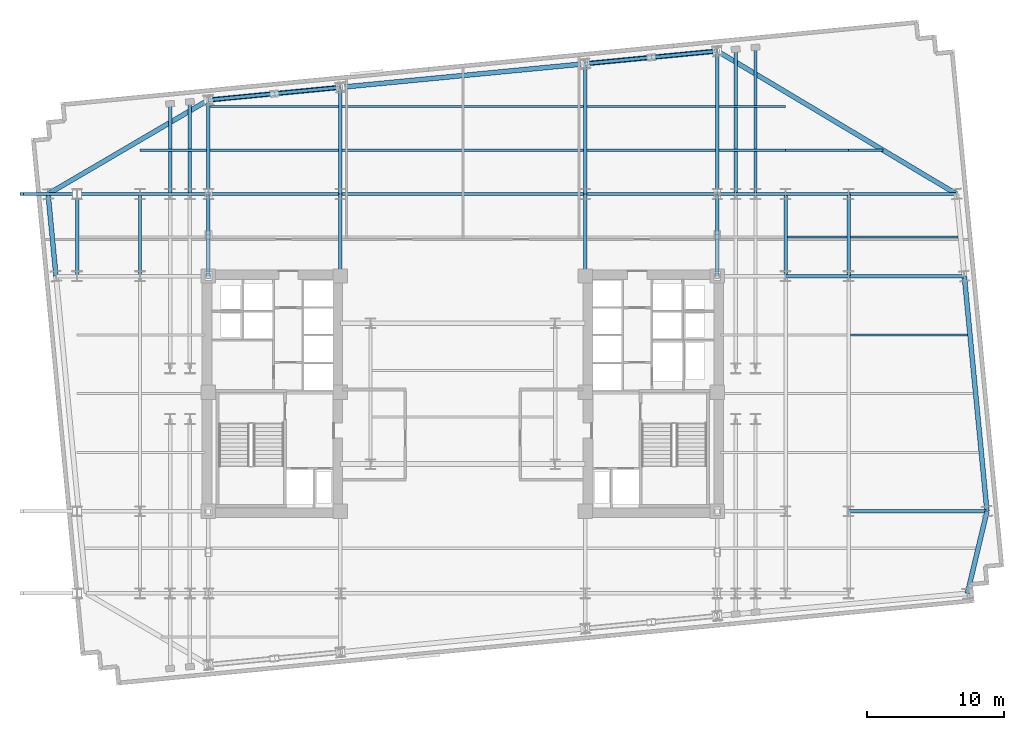
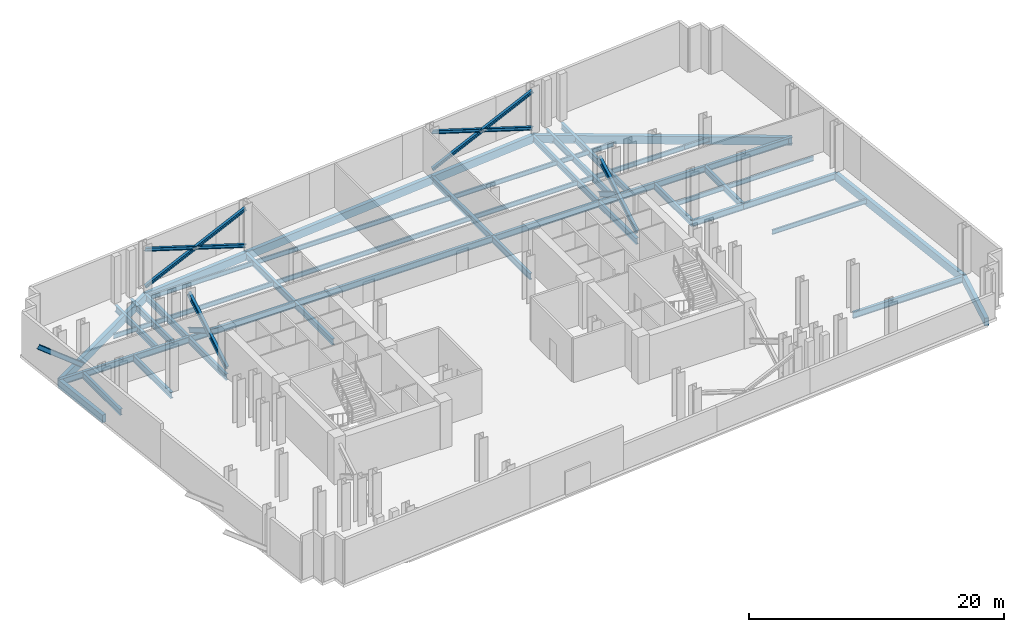
# One storey, part 3 of 9: 50 beams, 11 members.
"""IFC4 building model written with IfcOpenShell, lengths in metres."""

from ifc_helpers import new_model, si_unit, direction, frame, origin, origin_2d, place, context, subcontext, project, spatial, rectangle, i_section, extrude, material, material_profile, profile_set, type_object, element, save


model = new_model("IFC4")

# Units and contexts
model_context = context("Model", 3, precision=1e-05, world=origin(), true_north=direction((0.0, 1.0)))
body_context = subcontext(model_context, "Body", "Model", "MODEL_VIEW")
ifc_project = project(units=[si_unit("LENGTHUNIT", "METRE"), si_unit("AREAUNIT", "SQUARE_METRE"), si_unit("VOLUMEUNIT", "CUBIC_METRE"), si_unit("PLANEANGLEUNIT", "RADIAN"), si_unit("MASSUNIT", "GRAM", prefix="KILO")], contexts=[model_context])

# Site, building, storey
site_placement = place(None, origin())
site = spatial("IfcSite", under=ifc_project, at=site_placement, CompositionType="ELEMENT")
building_placement = place(site_placement, origin())
building = spatial("IfcBuilding", under=site, at=building_placement, Name="Velakula Bourse", CompositionType="ELEMENT")
storey_placement = place(building_placement, frame((0.0, 0.0, 112.14990234375)))
storey = spatial("IfcBuildingStorey", under=building, at=storey_placement, Name="L30", CompositionType="ELEMENT", Elevation=112.14990234375)

# Beams
ifc_material_1 = material(Name="Steel IS 2062 Grade 350 (E350)", Category="steel")
ifc_material_profile_1 = material_profile(ifc_material_1, i_section(OverallWidth=0.25, OverallDepth=0.60009765625, WebThickness=0.01123046875, FlangeThickness=0.021240234375, at=origin_2d()), Name="Steel IS 2062 Grade 350 (E350)")
ifc_profile_set_1 = profile_set([ifc_material_profile_1], Name="Steel IS 2062 Grade 350 (E350)")
beam_type_1 = type_object("IfcBeamType", Name="BM-GRD-600M", PredefinedType="BEAM", material=ifc_profile_set_1)
for number, where, z_axis, x_axis, name in (
    (1, (-18.60009765625, 8.60009765625, -0.579833984375), (0.0, 1.0, 0.0), (-1.0, 0.0, 0.0), "L30 Fulcrum Grid Girder FLC-WN"),
    (2, (-8.949951171875, 8.60009765625, -0.579833984375), (0.0, 1.0, 0.0), (-1.0, 0.0, 0.0), "L30 Fulcrum Grid Girder FLC-WCN"),
    (3, (8.949951171875, 8.60009765625, -0.579833984375), (0.0, 1.0, 0.0), (-1.0, 0.0, 0.0), "L30 Fulcrum Grid Girder FLC-ECN"),
    (4, (18.60009765625, 8.60009765625, -0.579833984375), (0.0, 1.0, 0.0), (-1.0, 0.0, 0.0), "L30 Fulcrum Grid Girder FLC-EN"),
):
    element("IfcBeam", number, at=place(storey_placement, frame(where, z_axis=z_axis, x_axis=x_axis)), inside=storey, type_object=beam_type_1, Name=name, PredefinedType="BEAM", context=body_context, shape_type="SweptSolid", body=[
        extrude(i_section(OverallWidth=0.25, OverallDepth=0.60009765625, WebThickness=0.01123046875, FlangeThickness=0.021240234375, at=origin_2d()), origin(), (0.0, 0.0, 1.0), 6.0),
    ])
beam_1_placement = place(storey_placement, frame((-18.60009765625, 14.60009765625, -0.579833984375), z_axis=(1.0, 0.0, 0.0), x_axis=(0.0, 1.0, 0.0)))
element("IfcBeam", 5, at=beam_1_placement, inside=storey, type_object=beam_type_1, Name="L30 Fulcrum Grid Girder FLC-N1", PredefinedType="BEAM", context=body_context, shape_type="SweptSolid", body=[
    extrude(i_section(OverallWidth=0.25, OverallDepth=0.60009765625, WebThickness=0.01123046875, FlangeThickness=0.021240234375, at=origin_2d()), origin(), (0.0, 0.0, 1.0), 9.650146484375),
])
beam_2_placement = place(storey_placement, frame((-8.949951171875, 14.60009765625, -0.579833984375), z_axis=(1.0, 0.0, 0.0), x_axis=(0.0, 1.0, 0.0)))
element("IfcBeam", 6, at=beam_2_placement, inside=storey, type_object=beam_type_1, Name="L30 Fulcrum Grid Girder FLC-N2", PredefinedType="BEAM", context=body_context, shape_type="SweptSolid", body=[
    extrude(i_section(OverallWidth=0.25, OverallDepth=0.60009765625, WebThickness=0.01123046875, FlangeThickness=0.021240234375, at=origin_2d()), origin(), (0.0, 0.0, 1.0), 17.89990234375),
])
beam_3_placement = place(storey_placement, frame((8.949951171875, 14.60009765625, -0.579833984375), z_axis=(1.0, 0.0, 0.0), x_axis=(0.0, 1.0, 0.0)))
element("IfcBeam", 7, at=beam_3_placement, inside=storey, type_object=beam_type_1, Name="L30 Fulcrum Grid Girder FLC-N3", PredefinedType="BEAM", context=body_context, shape_type="SweptSolid", body=[
    extrude(i_section(OverallWidth=0.25, OverallDepth=0.60009765625, WebThickness=0.01123046875, FlangeThickness=0.021240234375, at=origin_2d()), origin(), (0.0, 0.0, 1.0), 9.650146484375),
])
beam_4_placement = place(storey_placement, frame((-23.60009765625, 14.60009765625, -0.579833984375), z_axis=(1.0, 0.0, 0.0), x_axis=(0.0, 1.0, 0.0)))
element("IfcBeam", 8, at=beam_4_placement, inside=storey, type_object=beam_type_1, Name="L30 Fulcrum Grid Girder MWG-WN2", PredefinedType="BEAM", context=body_context, shape_type="SweptSolid", body=[
    extrude(i_section(OverallWidth=0.25, OverallDepth=0.60009765625, WebThickness=0.01123046875, FlangeThickness=0.021240234375, at=origin_2d()), origin(), (0.0, 0.0, 1.0), 5.0),
])
beam_5_placement = place(storey_placement, frame((-23.60009765625, 8.60009765625, -0.579833984375), z_axis=(0.0, 1.0, 0.0), x_axis=(-1.0, 0.0, 0.0)))
element("IfcBeam", 9, at=beam_5_placement, inside=storey, type_object=beam_type_1, Name="L30 Fulcrum Grid Girder MWG-WNS3", PredefinedType="BEAM", context=body_context, shape_type="SweptSolid", body=[
    extrude(i_section(OverallWidth=0.25, OverallDepth=0.60009765625, WebThickness=0.01123046875, FlangeThickness=0.021240234375, at=origin_2d()), origin(), (0.0, 0.0, 1.0), 6.0),
])
beam_6_placement = place(storey_placement, frame((18.60009765625, 14.60009765625, -0.579833984375), z_axis=(1.0, 0.0, 0.0), x_axis=(0.0, 1.0, 0.0)))
element("IfcBeam", 10, at=beam_6_placement, inside=storey, type_object=beam_type_1, Name="L30 Fulcrum Grid Girder MWG-EN2", PredefinedType="BEAM", context=body_context, shape_type="SweptSolid", body=[
    extrude(i_section(OverallWidth=0.25, OverallDepth=0.60009765625, WebThickness=0.01123046875, FlangeThickness=0.021240234375, at=origin_2d()), origin(), (0.0, 0.0, 1.0), 5.0),
])
beam_7_placement = place(storey_placement, frame((23.60009765625, 8.60009765625, -0.579833984375), z_axis=(0.0, 1.0, 0.0), x_axis=(-1.0, 0.0, 0.0)))
element("IfcBeam", 11, at=beam_7_placement, inside=storey, type_object=beam_type_1, Name="L30 Fulcrum Grid Girder MWG-ENS3", PredefinedType="BEAM", context=body_context, shape_type="SweptSolid", body=[
    extrude(i_section(OverallWidth=0.25, OverallDepth=0.60009765625, WebThickness=0.01123046875, FlangeThickness=0.021240234375, at=origin_2d()), origin(), (0.0, 0.0, 1.0), 6.0),
])
beam_8_placement = place(storey_placement, frame((-28.199951171875, 14.60009765625, -0.579833984375), z_axis=(1.0, 0.0, 0.0), x_axis=(0.0, 1.0, 0.0)))
element("IfcBeam", 12, at=beam_8_placement, inside=storey, type_object=beam_type_1, Name="L30 Fulcrum Grid Girder WNG-WN2", PredefinedType="BEAM", context=body_context, shape_type="SweptSolid", body=[
    extrude(i_section(OverallWidth=0.25, OverallDepth=0.60009765625, WebThickness=0.01123046875, FlangeThickness=0.021240234375, at=origin_2d()), origin(), (0.0, 0.0, 1.0), 4.599853515625),
])
beam_9_placement = place(storey_placement, frame((-28.199951171875, 8.60009765625, -0.579833984375), z_axis=(0.0, 1.0, 0.0), x_axis=(-1.0, 0.0, 0.0)))
element("IfcBeam", 13, at=beam_9_placement, inside=storey, type_object=beam_type_1, Name="L30 Fulcrum Grid Girder WNG-WNS3", PredefinedType="BEAM", context=body_context, shape_type="SweptSolid", body=[
    extrude(i_section(OverallWidth=0.25, OverallDepth=0.60009765625, WebThickness=0.01123046875, FlangeThickness=0.021240234375, at=origin_2d()), origin(), (0.0, 0.0, 1.0), 6.0),
])
for number, where, z_axis, x_axis, name in (
    (14, (23.60009765625, 8.60009765625, -0.579833984375), (1.0, 0.0, 0.0), (0.0, 1.0, 0.0), "L30 Fulcrum Grid Girder WNG-EN1"),
    (15, (23.60009765625, 14.60009765625, -0.579833984375), (1.0, 0.0, 0.0), (0.0, 1.0, 0.0), "L30 Fulcrum Grid Girder WNG-EN2"),
):
    element("IfcBeam", number, at=place(storey_placement, frame(where, z_axis=z_axis, x_axis=x_axis)), inside=storey, type_object=beam_type_1, Name=name, PredefinedType="BEAM", context=body_context, shape_type="SweptSolid", body=[
        extrude(i_section(OverallWidth=0.25, OverallDepth=0.60009765625, WebThickness=0.01123046875, FlangeThickness=0.021240234375, at=origin_2d()), origin(), (0.0, 0.0, 1.0), 4.599853515625),
    ])
beam_10_placement = place(storey_placement, frame((28.199951171875, 8.60009765625, -0.579833984375), z_axis=(0.0, 1.0, 0.0), x_axis=(-1.0, 0.0, 0.0)))
element("IfcBeam", 16, at=beam_10_placement, inside=storey, type_object=beam_type_1, Name="L30 Fulcrum Grid Girder WNG-ENS3", PredefinedType="BEAM", context=body_context, shape_type="SweptSolid", body=[
    extrude(i_section(OverallWidth=0.25, OverallDepth=0.60009765625, WebThickness=0.01123046875, FlangeThickness=0.021240234375, at=origin_2d()), origin(), (0.0, 0.0, 1.0), 6.0),
])
beam_11_placement = place(storey_placement, frame((-18.60009765625, 14.60009765625, -0.579833984375), z_axis=(0.0, 1.0, 0.0), x_axis=(-1.0, 0.0, 0.0)))
element("IfcBeam", 17, at=beam_11_placement, inside=storey, type_object=beam_type_1, Name="L30 Perimeter Tie Girder N1", PredefinedType="BEAM", context=body_context, shape_type="SweptSolid", body=[
    extrude(i_section(OverallWidth=0.25, OverallDepth=0.60009765625, WebThickness=0.01123046875, FlangeThickness=0.021240234375, at=origin_2d()), origin(), (0.0, 0.0, 1.0), 6.868896484375),
])
beam_12_placement = place(storey_placement, frame((-8.949951171875, 14.60009765625, -0.579833984375), z_axis=(0.0, 1.0, 0.0), x_axis=(-1.0, 0.0, 0.0)))
element("IfcBeam", 18, at=beam_12_placement, inside=storey, type_object=beam_type_1, Name="L30 Perimeter Tie Girder N2", PredefinedType="BEAM", context=body_context, shape_type="SweptSolid", body=[
    extrude(i_section(OverallWidth=0.25, OverallDepth=0.60009765625, WebThickness=0.01123046875, FlangeThickness=0.021240234375, at=origin_2d()), origin(), (0.0, 0.0, 1.0), 7.798095703125),
])
beam_13_placement = place(storey_placement, frame((8.949951171875, 14.60009765625, -0.579833984375), z_axis=(0.0, 1.0, 0.0), x_axis=(-1.0, 0.0, 0.0)))
element("IfcBeam", 19, at=beam_13_placement, inside=storey, type_object=beam_type_1, Name="L30 Perimeter Tie Girder N3", PredefinedType="BEAM", context=body_context, shape_type="SweptSolid", body=[
    extrude(i_section(OverallWidth=0.25, OverallDepth=0.60009765625, WebThickness=0.01123046875, FlangeThickness=0.021240234375, at=origin_2d()), origin(), (0.0, 0.0, 1.0), 9.521484375),
])
beam_14_placement = place(storey_placement, frame((18.60009765625, 14.60009765625, -0.579833984375), z_axis=(0.0, 1.0, 0.0), x_axis=(-1.0, 0.0, 0.0)))
element("IfcBeam", 20, at=beam_14_placement, inside=storey, type_object=beam_type_1, Name="L30 Perimeter Tie Girder N4", PredefinedType="BEAM", context=body_context, shape_type="SweptSolid", body=[
    extrude(i_section(OverallWidth=0.25, OverallDepth=0.60009765625, WebThickness=0.01123046875, FlangeThickness=0.021240234375, at=origin_2d()), origin(), (0.0, 0.0, 1.0), 10.45068359375),
])
beam_15_placement = place(storey_placement, frame((-28.199951171875, 14.60009765625, -0.579833984375), z_axis=(-1.0, 0.0, 0.0), x_axis=(0.0, -1.0, 0.0)))
element("IfcBeam", 21, at=beam_15_placement, inside=storey, type_object=beam_type_1, Name="L30 Perimeter Tie Girder W4", PredefinedType="BEAM", context=body_context, shape_type="SweptSolid", body=[
    extrude(i_section(OverallWidth=0.25, OverallDepth=0.60009765625, WebThickness=0.01123046875, FlangeThickness=0.021240234375, at=origin_2d()), origin(), (0.0, 0.0, 1.0), 2.119873046875),
])
beam_16_placement = place(storey_placement, frame((28.199951171875, -8.60009765625, -0.579833984375), z_axis=(1.0, 0.0, 0.0), x_axis=(0.0, 1.0, 0.0)))
element("IfcBeam", 22, at=beam_16_placement, inside=storey, type_object=beam_type_1, Name="L30 Perimeter Tie Girder E2", PredefinedType="BEAM", context=body_context, shape_type="SweptSolid", body=[
    extrude(i_section(OverallWidth=0.25, OverallDepth=0.60009765625, WebThickness=0.01123046875, FlangeThickness=0.021240234375, at=origin_2d()), origin(), (0.0, 0.0, 1.0), 10.119873046875),
])
beam_17_placement = place(storey_placement, frame((28.199951171875, 8.60009765625, -0.579833984375), z_axis=(1.0, 0.0, 0.0), x_axis=(0.0, 1.0, 0.0)))
element("IfcBeam", 23, at=beam_17_placement, inside=storey, type_object=beam_type_1, Name="L30 Perimeter Tie Girder E3", PredefinedType="BEAM", context=body_context, shape_type="SweptSolid", body=[
    extrude(i_section(OverallWidth=0.25, OverallDepth=0.60009765625, WebThickness=0.01123046875, FlangeThickness=0.021240234375, at=origin_2d()), origin(), (0.0, 0.0, 1.0), 8.463623046875),
])
beam_18_placement = place(storey_placement, frame((28.199951171875, 14.60009765625, -0.579833984375), z_axis=(1.0, 0.0, 0.0), x_axis=(0.0, 1.0, 0.0)))
element("IfcBeam", 24, at=beam_18_placement, inside=storey, type_object=beam_type_1, Name="L30 Perimeter Tie Girder E4", PredefinedType="BEAM", context=body_context, shape_type="SweptSolid", body=[
    extrude(i_section(OverallWidth=0.25, OverallDepth=0.60009765625, WebThickness=0.01123046875, FlangeThickness=0.021240234375, at=origin_2d()), origin(), (0.0, 0.0, 1.0), 7.885986328125),
])
beam_19_placement = place(storey_placement, frame((-21.39990234375, 14.60009765625, -0.579833984375), z_axis=(0.0, 1.0, 0.0), x_axis=(-1.0, 0.0, 0.0)))
element("IfcBeam", 25, at=beam_19_placement, inside=storey, type_object=beam_type_1, Name="L30 Perimeter Tie Girder P05", PredefinedType="BEAM", context=body_context, shape_type="SweptSolid", body=[
    extrude(i_section(OverallWidth=0.25, OverallDepth=0.60009765625, WebThickness=0.01123046875, FlangeThickness=0.021240234375, at=origin_2d()), origin(), (0.0, 0.0, 1.0), 6.59912109375),
])
beam_20_placement = place(storey_placement, frame((-19.949951171875, 14.60009765625, -0.579833984375), z_axis=(0.0, 1.0, 0.0), x_axis=(-1.0, 0.0, 0.0)))
element("IfcBeam", 26, at=beam_20_placement, inside=storey, type_object=beam_type_1, Name="L30 Perimeter Tie Girder P06", PredefinedType="BEAM", context=body_context, shape_type="SweptSolid", body=[
    extrude(i_section(OverallWidth=0.25, OverallDepth=0.60009765625, WebThickness=0.01123046875, FlangeThickness=0.021240234375, at=origin_2d()), origin(), (0.0, 0.0, 1.0), 6.73876953125),
])
beam_21_placement = place(storey_placement, frame((19.949951171875, 14.60009765625, -0.579833984375), z_axis=(0.0, 1.0, 0.0), x_axis=(-1.0, 0.0, 0.0)))
element("IfcBeam", 27, at=beam_21_placement, inside=storey, type_object=beam_type_1, Name="L30 Perimeter Tie Girder P07", PredefinedType="BEAM", context=body_context, shape_type="SweptSolid", body=[
    extrude(i_section(OverallWidth=0.25, OverallDepth=0.60009765625, WebThickness=0.01123046875, FlangeThickness=0.021240234375, at=origin_2d()), origin(), (0.0, 0.0, 1.0), 10.580810546875),
])
beam_22_placement = place(storey_placement, frame((21.39990234375, 14.60009765625, -0.579833984375), z_axis=(0.0, 1.0, 0.0), x_axis=(-1.0, 0.0, 0.0)))
element("IfcBeam", 28, at=beam_22_placement, inside=storey, type_object=beam_type_1, Name="L30 Perimeter Tie Girder P08", PredefinedType="BEAM", context=body_context, shape_type="SweptSolid", body=[
    extrude(i_section(OverallWidth=0.25, OverallDepth=0.60009765625, WebThickness=0.01123046875, FlangeThickness=0.021240234375, at=origin_2d()), origin(), (0.0, 0.0, 1.0), 10.720458984375),
])

# Members
ifc_material_profile_2 = material_profile(ifc_material_1, i_section(OverallWidth=0.25, OverallDepth=0.300048828125, WebThickness=0.009521484375, FlangeThickness=0.010498046875, at=origin_2d()), Name="Steel IS 2062 Grade 350 (E350)")
ifc_profile_set_2 = profile_set([ifc_material_profile_2], Name="Steel IS 2062 Grade 350 (E350)")
member_type_1 = type_object("IfcMemberType", Name="BR-BLT-300", PredefinedType="BRACE", material=ifc_profile_set_2)
member_1_placement = place(storey_placement, frame((-18.60009765625, 21.468994140625, 0.300048828125), z_axis=(0.934076090828, 0.089940891079, 0.345561127234), x_axis=(-0.095845323155, 0.99539623971, 0.0)))
element("IfcMember", 29, at=member_1_placement, inside=storey, type_object=member_type_1, Name="L30 Continuous Outrigger and Belt X-Brace BT-N1", PredefinedType="BRACE", context=body_context, shape_type="SweptSolid", body=[
    extrude(i_section(OverallWidth=0.25, OverallDepth=0.300048828125, WebThickness=0.009521484375, FlangeThickness=0.010498046875, at=origin_2d()), origin(), (0.0, 0.0, 1.0), 10.331298828125),
])
for number, where, z_axis, x_axis, name in (
    (30, (-8.949951171875, 22.398193359375, 0.300048828125), (-0.934079940509, -0.089968590068, 0.345543510341), (0.095874177742, -0.99539346092, 0.0), "L30 Split X-Brace Lower Segment BT-N2A"),
    (31, (-13.90576171875, 21.9208984375, 2.133544921875), (-0.934084021922, -0.089920403816, 0.345545020175), (0.095822885289, -0.995398399966, 0.0), "L30 Split X-Brace Upper Segment BT-N2B"),
):
    element("IfcMember", number, at=place(storey_placement, frame(where, z_axis=z_axis, x_axis=x_axis)), inside=storey, type_object=member_type_1, Name=name, PredefinedType="BRACE", context=body_context, shape_type="SweptSolid", body=[
        extrude(i_section(OverallWidth=0.25, OverallDepth=0.300048828125, WebThickness=0.009521484375, FlangeThickness=0.010498046875, at=origin_2d()), origin(), (0.0, 0.0, 1.0), 5.025634765625),
    ])
member_2_placement = place(storey_placement, frame((8.949951171875, 24.12158203125, 0.300048828125), z_axis=(0.934076090828, 0.089940891079, 0.345561127234), x_axis=(-0.095845323155, 0.99539623971, 0.0)))
element("IfcMember", 32, at=member_2_placement, inside=storey, type_object=member_type_1, Name="L30 Continuous Outrigger and Belt X-Brace BT-N3", PredefinedType="BRACE", context=body_context, shape_type="SweptSolid", body=[
    extrude(i_section(OverallWidth=0.25, OverallDepth=0.300048828125, WebThickness=0.009521484375, FlangeThickness=0.010498046875, at=origin_2d()), origin(), (0.0, 0.0, 1.0), 10.331298828125),
])
for number, where, z_axis, x_axis, name in (
    (33, (18.60009765625, 25.05078125, 0.300048828125), (-0.934084021922, -0.089920403816, 0.345545020175), (0.095822885289, -0.995398399966, 0.0), "L30 Split X-Brace Lower Segment BT-N4A"),
    (34, (13.644287109375, 24.57373046875, 2.133544921875), (-0.934079940509, -0.089968590068, 0.345543510341), (0.095874177742, -0.99539346092, 0.0), "L30 Split X-Brace Upper Segment BT-N4B"),
):
    element("IfcMember", number, at=place(storey_placement, frame(where, z_axis=z_axis, x_axis=x_axis)), inside=storey, type_object=member_type_1, Name=name, PredefinedType="BRACE", context=body_context, shape_type="SweptSolid", body=[
        extrude(i_section(OverallWidth=0.25, OverallDepth=0.300048828125, WebThickness=0.009521484375, FlangeThickness=0.010498046875, at=origin_2d()), origin(), (0.0, 0.0, 1.0), 5.025634765625),
    ])
ifc_material_profile_3 = material_profile(ifc_material_1, i_section(OverallWidth=0.25, OverallDepth=0.449951171875, WebThickness=0.01123046875, FlangeThickness=0.013671875, at=origin_2d()), Name="Steel IS 2062 Grade 350 (E350)")
ifc_profile_set_3 = profile_set([ifc_material_profile_3], Name="Steel IS 2062 Grade 350 (E350)")
member_type_2 = type_object("IfcMemberType", Name="BR-OTR-450", PredefinedType="BRACE", material=ifc_profile_set_3)
member_3_placement = place(storey_placement, frame((-18.60009765625, 8.60009765625, 0.300048828125), z_axis=(0.0, 0.859378499817, 0.511339998487), x_axis=(-1.0, 0.0, 0.0)))
element("IfcMember", 35, at=member_3_placement, inside=storey, type_object=member_type_2, Name="L30 Continuous Outrigger and Belt X-Brace OT-NS3", PredefinedType="BRACE", context=body_context, shape_type="SweptSolid", body=[
    extrude(i_section(OverallWidth=0.25, OverallDepth=0.449951171875, WebThickness=0.01123046875, FlangeThickness=0.013671875, at=origin_2d()), origin(), (0.0, 0.0, 1.0), 6.981689453125),
])
member_4_placement = place(storey_placement, frame((-18.60009765625, 14.60009765625, 0.300048828125), z_axis=(0.0, -0.859402650947, 0.511299406947), x_axis=(1.0, 0.0, 0.0)))
element("IfcMember", 36, at=member_4_placement, inside=storey, type_object=member_type_2, Name="L30 Split X-Brace Lower Segment OT-NS4A", PredefinedType="BRACE", context=body_context, shape_type="SweptSolid", body=[
    extrude(i_section(OverallWidth=0.25, OverallDepth=0.449951171875, WebThickness=0.01123046875, FlangeThickness=0.013671875, at=origin_2d()), origin(), (0.0, 0.0, 1.0), 3.35107421875),
])
member_5_placement = place(storey_placement, frame((18.60009765625, 8.60009765625, 0.300048828125), z_axis=(0.0, 0.859378499817, 0.511339998487), x_axis=(-1.0, 0.0, 0.0)))
element("IfcMember", 37, at=member_5_placement, inside=storey, type_object=member_type_2, Name="L30 Continuous Outrigger and Belt X-Brace OT-NS7", PredefinedType="BRACE", context=body_context, shape_type="SweptSolid", body=[
    extrude(i_section(OverallWidth=0.25, OverallDepth=0.449951171875, WebThickness=0.01123046875, FlangeThickness=0.013671875, at=origin_2d()), origin(), (0.0, 0.0, 1.0), 6.981689453125),
])
member_6_placement = place(storey_placement, frame((18.60009765625, 14.60009765625, 0.300048828125), z_axis=(0.0, -0.859402650947, 0.511299406947), x_axis=(1.0, 0.0, 0.0)))
element("IfcMember", 38, at=member_6_placement, inside=storey, type_object=member_type_2, Name="L30 Split X-Brace Lower Segment OT-NS8A", PredefinedType="BRACE", context=body_context, shape_type="SweptSolid", body=[
    extrude(i_section(OverallWidth=0.25, OverallDepth=0.449951171875, WebThickness=0.01123046875, FlangeThickness=0.013671875, at=origin_2d()), origin(), (0.0, 0.0, 1.0), 3.35107421875),
])
ifc_material_profile_4 = material_profile(ifc_material_1, i_section(OverallWidth=0.25, OverallDepth=0.39990234375, WebThickness=0.010498046875, FlangeThickness=0.0126953125, at=origin_2d()), Name="Steel IS 2062 Grade 350 (E350)")
ifc_profile_set_4 = profile_set([ifc_material_profile_4], Name="Steel IS 2062 Grade 350 (E350)")
member_type_3 = type_object("IfcMemberType", Name="BR-TRF-400", PredefinedType="BRACE", material=ifc_profile_set_4)
member_7_placement = place(storey_placement, frame((-28.199951171875, 14.60009765625, 0.300048828125), z_axis=(-0.787451909253, 0.0, 0.616376095102), x_axis=(0.0, -1.0, 0.0)))
element("IfcMember", 39, at=member_7_placement, inside=storey, type_object=member_type_3, Name="L30 Inclined Cantilever Transfer Raking Strut W4", PredefinedType="BRACE", context=body_context, shape_type="SweptSolid", body=[
    extrude(i_section(OverallWidth=0.25, OverallDepth=0.39990234375, WebThickness=0.010498046875, FlangeThickness=0.0126953125, at=origin_2d()), origin(), (0.0, 0.0, 1.0), 5.143310546875),
])

# Beams
ifc_material_profile_5 = material_profile(ifc_material_1, i_section(OverallWidth=0.14990234375, OverallDepth=0.449951171875, WebThickness=0.009521484375, FlangeThickness=0.017333984375, at=origin_2d()), Name="Steel IS 2062 Grade 350 (E350)")
ifc_profile_set_5 = profile_set([ifc_material_profile_5], Name="Steel IS 2062 Grade 350 (E350)")
beam_type_2 = type_object("IfcBeamType", Name="JST-TWR-450", PredefinedType="JOIST", material=ifc_profile_set_5)
beam_23_placement = place(storey_placement, frame((23.72509765625, 11.449951171875, -0.5048828125), z_axis=(1.0, 0.0, 0.0), x_axis=(0.0, 1.0, 0.0)))
element("IfcBeam", 40, at=beam_23_placement, inside=storey, type_object=beam_type_2, Name="L30 Trading Floor Composite Joist 18", PredefinedType="JOIST", context=body_context, shape_type="SweptSolid", body=[
    extrude(i_section(OverallWidth=0.14990234375, OverallDepth=0.449951171875, WebThickness=0.009521484375, FlangeThickness=0.017333984375, at=origin_2d()), origin(), (0.0, 0.0, 1.0), 4.349853515625),
])
beam_24_placement = place(storey_placement, frame((28.324951171875, 11.449951171875, -0.5048828125), z_axis=(1.0, 0.0, 0.0), x_axis=(0.0, 1.0, 0.0)))
element("IfcBeam", 41, at=beam_24_placement, inside=storey, type_object=beam_type_2, Name="L30 Trading Floor Composite Joist 19", PredefinedType="JOIST", context=body_context, shape_type="SweptSolid", body=[
    extrude(i_section(OverallWidth=0.14990234375, OverallDepth=0.449951171875, WebThickness=0.009521484375, FlangeThickness=0.017333984375, at=origin_2d()), origin(), (0.0, 0.0, 1.0), 7.888427734375),
])
beam_25_placement = place(storey_placement, frame((-23.60009765625, 17.800048828125, -0.5048828125), z_axis=(1.0, 0.0, 0.0), x_axis=(0.0, 1.0, 0.0)))
element("IfcBeam", 42, at=beam_25_placement, inside=storey, type_object=beam_type_2, Name="L30 Trading Floor Composite Joist 20", PredefinedType="JOIST", context=body_context, shape_type="SweptSolid", body=[
    extrude(i_section(OverallWidth=0.14990234375, OverallDepth=0.449951171875, WebThickness=0.009521484375, FlangeThickness=0.017333984375, at=origin_2d()), origin(), (0.0, 0.0, 1.0), 4.875),
])
beam_26_placement = place(storey_placement, frame((-18.47509765625, 17.800048828125, -0.5048828125), z_axis=(1.0, 0.0, 0.0), x_axis=(0.0, 1.0, 0.0)))
element("IfcBeam", 43, at=beam_26_placement, inside=storey, type_object=beam_type_2, Name="L30 Trading Floor Composite Joist 21", PredefinedType="JOIST", context=body_context, shape_type="SweptSolid", body=[
    extrude(i_section(OverallWidth=0.14990234375, OverallDepth=0.449951171875, WebThickness=0.009521484375, FlangeThickness=0.017333984375, at=origin_2d()), origin(), (0.0, 0.0, 1.0), 9.400146484375),
])
beam_27_placement = place(storey_placement, frame((-8.824951171875, 17.800048828125, -0.5048828125), z_axis=(1.0, 0.0, 0.0), x_axis=(0.0, 1.0, 0.0)))
element("IfcBeam", 44, at=beam_27_placement, inside=storey, type_object=beam_type_2, Name="L30 Trading Floor Composite Joist 22", PredefinedType="JOIST", context=body_context, shape_type="SweptSolid", body=[
    extrude(i_section(OverallWidth=0.14990234375, OverallDepth=0.449951171875, WebThickness=0.009521484375, FlangeThickness=0.017333984375, at=origin_2d()), origin(), (0.0, 0.0, 1.0), 17.64990234375),
])
beam_28_placement = place(storey_placement, frame((9.074951171875, 17.800048828125, -0.5048828125), z_axis=(1.0, 0.0, 0.0), x_axis=(0.0, 1.0, 0.0)))
element("IfcBeam", 45, at=beam_28_placement, inside=storey, type_object=beam_type_2, Name="L30 Trading Floor Composite Joist 23", PredefinedType="JOIST", context=body_context, shape_type="SweptSolid", body=[
    extrude(i_section(OverallWidth=0.14990234375, OverallDepth=0.449951171875, WebThickness=0.009521484375, FlangeThickness=0.017333984375, at=origin_2d()), origin(), (0.0, 0.0, 1.0), 9.400146484375),
])
beam_29_placement = place(storey_placement, frame((18.72509765625, 17.800048828125, -0.5048828125), z_axis=(1.0, 0.0, 0.0), x_axis=(0.0, 1.0, 0.0)))
element("IfcBeam", 46, at=beam_29_placement, inside=storey, type_object=beam_type_2, Name="L30 Trading Floor Composite Joist 24", PredefinedType="JOIST", context=body_context, shape_type="SweptSolid", body=[
    extrude(i_section(OverallWidth=0.14990234375, OverallDepth=0.449951171875, WebThickness=0.009521484375, FlangeThickness=0.017333984375, at=origin_2d()), origin(), (0.0, 0.0, 1.0), 4.875),
])
beam_30_placement = place(storey_placement, frame((23.60009765625, 17.800048828125, -0.5048828125), z_axis=(1.0, 0.0, 0.0), x_axis=(0.0, 1.0, 0.0)))
element("IfcBeam", 47, at=beam_30_placement, inside=storey, type_object=beam_type_2, Name="L30 Trading Floor Composite Joist 25", PredefinedType="JOIST", context=body_context, shape_type="SweptSolid", body=[
    extrude(i_section(OverallWidth=0.14990234375, OverallDepth=0.449951171875, WebThickness=0.009521484375, FlangeThickness=0.017333984375, at=origin_2d()), origin(), (0.0, 0.0, 1.0), 4.599853515625),
])
beam_31_placement = place(storey_placement, frame((28.199951171875, 17.800048828125, -0.5048828125), z_axis=(1.0, 0.0, 0.0), x_axis=(0.0, 1.0, 0.0)))
element("IfcBeam", 48, at=beam_31_placement, inside=storey, type_object=beam_type_2, Name="L30 Trading Floor Composite Joist 26", PredefinedType="JOIST", context=body_context, shape_type="SweptSolid", body=[
    extrude(i_section(OverallWidth=0.14990234375, OverallDepth=0.449951171875, WebThickness=0.009521484375, FlangeThickness=0.017333984375, at=origin_2d()), origin(), (0.0, 0.0, 1.0), 2.53173828125),
])
beam_32_placement = place(storey_placement, frame((-18.47509765625, 21.0, -0.5048828125), z_axis=(1.0, 0.0, 0.0), x_axis=(0.0, 1.0, 0.0)))
element("IfcBeam", 49, at=beam_32_placement, inside=storey, type_object=beam_type_2, Name="L30 Trading Floor Composite Joist 27", PredefinedType="JOIST", context=body_context, shape_type="SweptSolid", body=[
    extrude(i_section(OverallWidth=0.14990234375, OverallDepth=0.449951171875, WebThickness=0.009521484375, FlangeThickness=0.017333984375, at=origin_2d()), origin(), (0.0, 0.0, 1.0), 9.400146484375),
])
beam_33_placement = place(storey_placement, frame((-8.824951171875, 21.0, -0.5048828125), z_axis=(1.0, 0.0, 0.0), x_axis=(0.0, 1.0, 0.0)))
element("IfcBeam", 50, at=beam_33_placement, inside=storey, type_object=beam_type_2, Name="L30 Trading Floor Composite Joist 28", PredefinedType="JOIST", context=body_context, shape_type="SweptSolid", body=[
    extrude(i_section(OverallWidth=0.14990234375, OverallDepth=0.449951171875, WebThickness=0.009521484375, FlangeThickness=0.017333984375, at=origin_2d()), origin(), (0.0, 0.0, 1.0), 17.64990234375),
])
beam_34_placement = place(storey_placement, frame((9.074951171875, 21.0, -0.5048828125), z_axis=(1.0, 0.0, 0.0), x_axis=(0.0, 1.0, 0.0)))
element("IfcBeam", 51, at=beam_34_placement, inside=storey, type_object=beam_type_2, Name="L30 Trading Floor Composite Joist 29", PredefinedType="JOIST", context=body_context, shape_type="SweptSolid", body=[
    extrude(i_section(OverallWidth=0.14990234375, OverallDepth=0.449951171875, WebThickness=0.009521484375, FlangeThickness=0.017333984375, at=origin_2d()), origin(), (0.0, 0.0, 1.0), 9.400146484375),
])
beam_35_placement = place(storey_placement, frame((18.72509765625, 21.0, -0.5048828125), z_axis=(1.0, 0.0, 0.0), x_axis=(0.0, 1.0, 0.0)))
element("IfcBeam", 52, at=beam_35_placement, inside=storey, type_object=beam_type_2, Name="L30 Trading Floor Composite Joist 30", PredefinedType="JOIST", context=body_context, shape_type="SweptSolid", body=[
    extrude(i_section(OverallWidth=0.14990234375, OverallDepth=0.449951171875, WebThickness=0.009521484375, FlangeThickness=0.017333984375, at=origin_2d()), origin(), (0.0, 0.0, 1.0), 4.875),
])
beam_36_placement = place(storey_placement, frame((28.324951171875, 4.300048828125, -0.5048828125), z_axis=(1.0, 0.0, 0.0), x_axis=(0.0, 1.0, 0.0)))
element("IfcBeam", 53, at=beam_36_placement, inside=storey, type_object=beam_type_2, Name="L30 Trading Floor Composite Joist 47", PredefinedType="JOIST", context=body_context, shape_type="SweptSolid", body=[
    extrude(i_section(OverallWidth=0.14990234375, OverallDepth=0.449951171875, WebThickness=0.009521484375, FlangeThickness=0.017333984375, at=origin_2d()), origin(), (0.0, 0.0, 1.0), 8.576904296875),
])
ifc_material_2 = material(Name="Precast concrete M45 (fck 45 MPa)", Category="concrete")
ifc_material_profile_6 = material_profile(ifc_material_2, rectangle(XDim=0.35009765625, YDim=0.75, at=origin_2d()), Name="Precast concrete M45 (fck 45 MPa)")
ifc_profile_set_6 = profile_set([ifc_material_profile_6], Name="Precast concrete M45 (fck 45 MPa)")
beam_type_3 = type_object("IfcBeamType", Name="SPN-BRICK-750", PredefinedType="SPANDREL", material=ifc_profile_set_6)
beam_37_placement = place(storey_placement, frame((-18.60009765625, 21.468994140625, -0.65478515625), z_axis=(0.99539623971, 0.095845323155, 0.0), x_axis=(-0.095845323155, 0.99539623971, 0.0)))
element("IfcBeam", 54, at=beam_37_placement, inside=storey, type_object=beam_type_3, Name="L30 Brick-Faced Precast Spandrel N1-N2", PredefinedType="SPANDREL", context=body_context, shape_type="SweptSolid", body=[
    extrude(rectangle(XDim=0.35009765625, YDim=0.75, at=origin_2d()), origin(), (0.0, 0.0, 1.0), 9.69482421875),
])
beam_38_placement = place(storey_placement, frame((-8.949951171875, 22.398193359375, -0.65478515625), z_axis=(0.995397131467, 0.095836061418, 0.0), x_axis=(-0.095836061418, 0.995397131467, 0.0)))
element("IfcBeam", 55, at=beam_38_placement, inside=storey, type_object=beam_type_3, Name="L30 Brick-Faced Precast Spandrel N2-N3", PredefinedType="SPANDREL", context=body_context, shape_type="SweptSolid", body=[
    extrude(rectangle(XDim=0.35009765625, YDim=0.75, at=origin_2d()), origin(), (0.0, 0.0, 1.0), 17.982666015625),
])
beam_39_placement = place(storey_placement, frame((8.949951171875, 24.12158203125, -0.65478515625), z_axis=(0.99539623971, 0.095845323155, 0.0), x_axis=(-0.095845323155, 0.99539623971, 0.0)))
element("IfcBeam", 56, at=beam_39_placement, inside=storey, type_object=beam_type_3, Name="L30 Brick-Faced Precast Spandrel N3-N4", PredefinedType="SPANDREL", context=body_context, shape_type="SweptSolid", body=[
    extrude(rectangle(XDim=0.35009765625, YDim=0.75, at=origin_2d()), origin(), (0.0, 0.0, 1.0), 9.69482421875),
])
beam_40_placement = place(storey_placement, frame((-29.7421875, 8.60009765625, -0.65478515625), z_axis=(-0.095829714309, 0.995397742541, 0.0), x_axis=(-0.995397742541, -0.095829714309, 0.0)))
element("IfcBeam", 57, at=beam_40_placement, inside=storey, type_object=beam_type_3, Name="L30 Brick-Faced Precast Spandrel W3-W4", PredefinedType="SPANDREL", context=body_context, shape_type="SweptSolid", body=[
    extrude(rectangle(XDim=0.35009765625, YDim=0.75, at=origin_2d()), origin(), (0.0, 0.0, 1.0), 6.02783203125),
])
beam_41_placement = place(storey_placement, frame((36.88818359375, -14.60009765625, -0.65478515625), z_axis=(0.232091371601, 0.972693988482, 0.0), x_axis=(-0.972693988482, 0.232091371601, 0.0)))
element("IfcBeam", 58, at=beam_41_placement, inside=storey, type_object=beam_type_3, Name="L30 Brick-Faced Precast Spandrel E1-E2", PredefinedType="SPANDREL", context=body_context, shape_type="SweptSolid", body=[
    extrude(rectangle(XDim=0.35009765625, YDim=0.75, at=origin_2d()), origin(), (0.0, 0.0, 1.0), 6.16845703125),
])
beam_42_placement = place(storey_placement, frame((38.31982421875, -8.60009765625, -0.65478515625), z_axis=(-0.095849167925, 0.995395869495, 0.0), x_axis=(-0.995395869495, -0.095849167925, 0.0)))
element("IfcBeam", 59, at=beam_42_placement, inside=storey, type_object=beam_type_3, Name="L30 Brick-Faced Precast Spandrel E2-E3", PredefinedType="SPANDREL", context=body_context, shape_type="SweptSolid", body=[
    extrude(rectangle(XDim=0.35009765625, YDim=0.75, at=origin_2d()), origin(), (0.0, 0.0, 1.0), 17.27978515625),
])
beam_43_placement = place(storey_placement, frame((36.0859375, 14.60009765625, -0.65478515625), z_axis=(-0.858375715449, 0.513021569846, 0.0), x_axis=(-0.513021569846, -0.858375715449, 0.0)))
element("IfcBeam", 60, at=beam_43_placement, inside=storey, type_object=beam_type_3, Name="L30 Brick-Faced Precast Spandrel E4-N4", PredefinedType="SPANDREL", context=body_context, shape_type="SweptSolid", body=[
    extrude(rectangle(XDim=0.35009765625, YDim=0.75, at=origin_2d()), origin(), (0.0, 0.0, 1.0), 20.370849609375),
])
beam_44_placement = place(storey_placement, frame((-18.60009765625, 21.468994140625, -0.65478515625), z_axis=(-0.862739335169, -0.505648929151, 0.0), x_axis=(0.505648929151, -0.862739335169, 0.0)))
element("IfcBeam", 61, at=beam_44_placement, inside=storey, type_object=beam_type_3, Name="L30 Brick-Faced Precast Spandrel N1-W4", PredefinedType="SPANDREL", context=body_context, shape_type="SweptSolid", body=[
    extrude(rectangle(XDim=0.35009765625, YDim=0.75, at=origin_2d()), origin(), (0.0, 0.0, 1.0), 13.584228515625),
])

save(model, "model.ifc")
